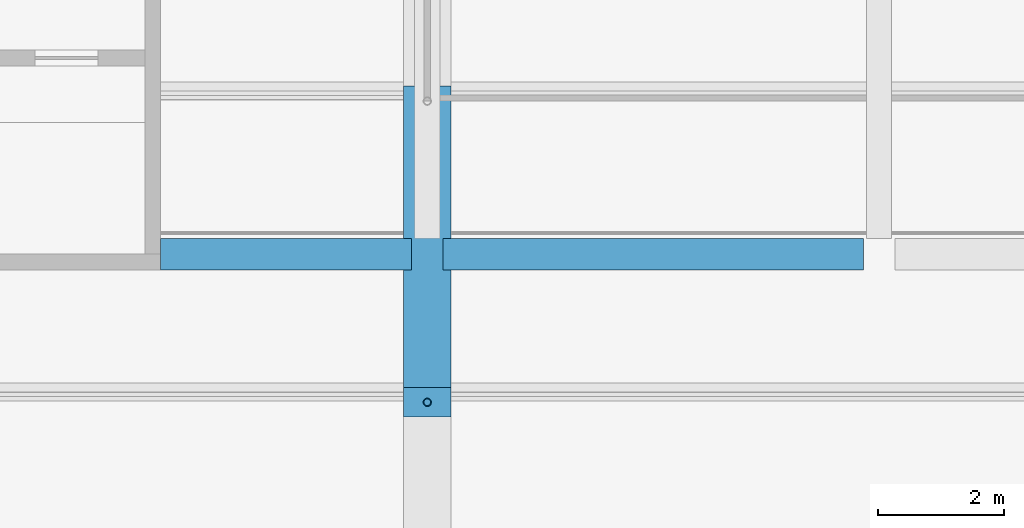
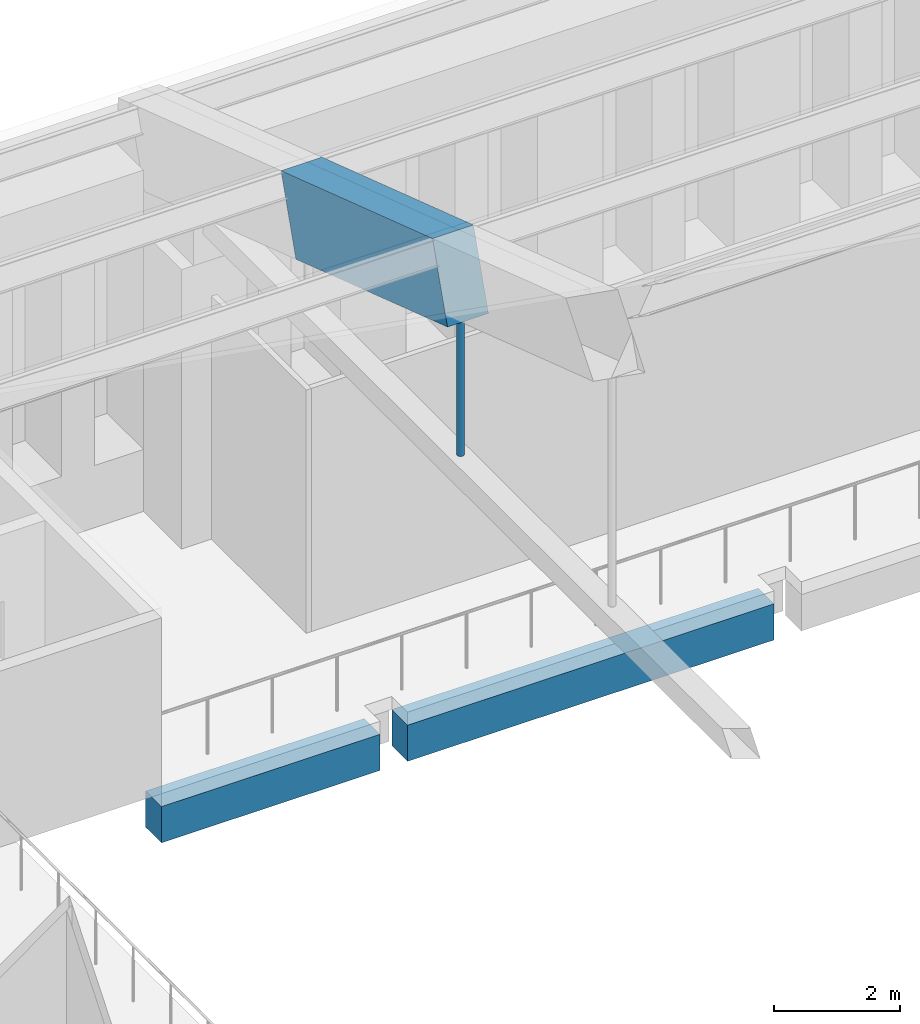
# One storey, part 43 of 149: 3 beams, 1 member.
"""IFC4 building model written with IfcOpenShell, lengths in metres."""

from ifc_helpers import new_model, si_unit, direction, frame, origin, origin_2d, place, context, subcontext, project, spatial, rectangle, hollow_circle, extrude, material, material_profile, profile_set, type_object, element, save


model = new_model("IFC4")

# Units and contexts
model_context = context("Model", 3, precision=1e-05, world=origin(), true_north=direction((0.0, 1.0)))
body_context = subcontext(model_context, "Body", "Model", "MODEL_VIEW")
ifc_project = project(units=[si_unit("LENGTHUNIT", "METRE"), si_unit("AREAUNIT", "SQUARE_METRE"), si_unit("VOLUMEUNIT", "CUBIC_METRE"), si_unit("PLANEANGLEUNIT", "RADIAN"), si_unit("MASSUNIT", "GRAM", prefix="KILO")], contexts=[model_context])

# Site, building, storey
site_placement = place(None, origin())
site = spatial("IfcSite", under=ifc_project, at=site_placement, CompositionType="ELEMENT")
building_placement = place(site_placement, origin())
building = spatial("IfcBuilding", under=site, at=building_placement, Name="Alderwick Market Hall", CompositionType="ELEMENT")
storey_placement = place(building_placement, frame((0.0, 0.0, 9.60009765625)))
storey = spatial("IfcBuildingStorey", under=building, at=storey_placement, Name="L01", CompositionType="ELEMENT", Elevation=9.60009765625)

# Beams
ifc_material_1 = material(Name="Concrete 5000 psi (f'c 35 MPa)", Category="concrete")
ifc_material_profile_1 = material_profile(ifc_material_1, rectangle(XDim=0.5, YDim=0.699951171875, at=origin_2d()), Name="RC 500x700")
ifc_profile_set_1 = profile_set([ifc_material_profile_1], Name="Concrete 5000 psi (f'c 35 MPa)")
beam_type_1 = type_object("IfcBeamType", Name="H Edge beam 500x700", PredefinedType="BEAM", material=ifc_profile_set_1)
beam_1_placement = place(storey_placement, frame((60.550048828125, 100.760009765625, -0.60009765625), z_axis=(1.0, 0.0, 0.0), x_axis=(0.0, 1.0, 0.0)))
element("IfcBeam", 1, at=beam_1_placement, inside=storey, type_object=beam_type_1, Name="Gallery edge beam N", PredefinedType="BEAM", context=body_context, shape_type="SweptSolid", body=[
    extrude(rectangle(XDim=0.5, YDim=0.699951171875, at=origin_2d()), origin(), (0.0, 0.0, 1.0), 4.0),
])
beam_2_placement = place(storey_placement, frame((65.050048828125, 100.760009765625, -0.60009765625), z_axis=(1.0, 0.0, 0.0), x_axis=(0.0, 1.0, 0.0)))
element("IfcBeam", 2, at=beam_2_placement, inside=storey, type_object=beam_type_1, Name="Gallery edge beam N", PredefinedType="BEAM", context=body_context, shape_type="SweptSolid", body=[
    extrude(rectangle(XDim=0.5, YDim=0.699951171875, at=origin_2d()), origin(), (0.0, 0.0, 1.0), 6.699951171875),
])
ifc_material_profile_2 = material_profile(ifc_material_1, rectangle(XDim=0.75, YDim=1.5, at=origin_2d()), Name="RC 750x1500")
ifc_profile_set_2 = profile_set([ifc_material_profile_2], Name="Concrete 5000 psi (f'c 35 MPa)")
beam_type_2 = type_object("IfcBeamType", Name="R Arch Rib Springing 750x1500", PredefinedType="BEAM", material=ifc_profile_set_2)
beam_3_placement = place(storey_placement, frame((64.800048828125, 98.39990234375, 9.7998046875), z_axis=(0.0, 0.948692948114, -0.316198814353), x_axis=(-1.0, 0.0, 0.0)))
element("IfcBeam", 3, at=beam_3_placement, inside=storey, type_object=beam_type_2, Name="Arch rib 2 chord 11", PredefinedType="BEAM", context=body_context, shape_type="SweptSolid", body=[
    extrude(rectangle(XDim=0.75, YDim=1.5, at=origin_2d()), origin(), (0.0, 0.0, 1.0), 5.0595703125),
])

# Member
ifc_material_2 = material(Name="Steel ASTM A500 Grade C", Category="steel")
ifc_material_profile_3 = material_profile(ifc_material_2, hollow_circle(Radius=0.0634765625, WallThickness=0.005859375, at=origin_2d()), Name="HSS5.000x0.250")
ifc_profile_set_3 = profile_set([ifc_material_profile_3], Name="Steel ASTM A500 Grade C")
member_type = type_object("IfcMemberType", Name="R Hanger HSS5.000x0.250", PredefinedType="POST", material=ifc_profile_set_3)
member_placement = place(storey_placement, frame((64.800048828125, 98.39990234375, 6.35302734375), z_axis=(0.0, 0.0, 1.0), x_axis=(1.0, 0.0, 0.0)))
element("IfcMember", 4, at=member_placement, inside=storey, type_object=member_type, Name="Arch hanger 2.10", PredefinedType="POST", context=body_context, shape_type="SweptSolid", body=[
    extrude(hollow_circle(Radius=0.0634765625, WallThickness=0.005859375, at=origin_2d()), origin(), (0.0, 0.0, 1.0), 2.63525390625),
])

save(model, "model.ifc")
